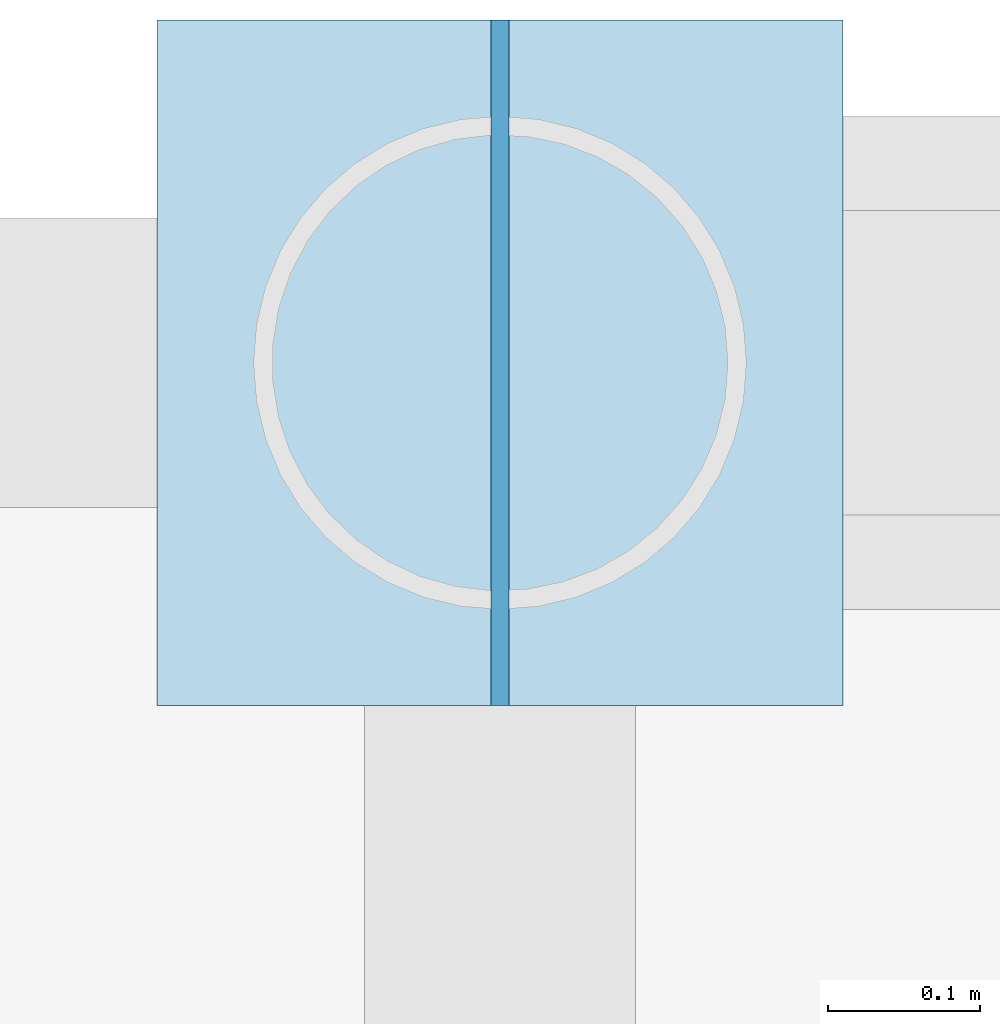
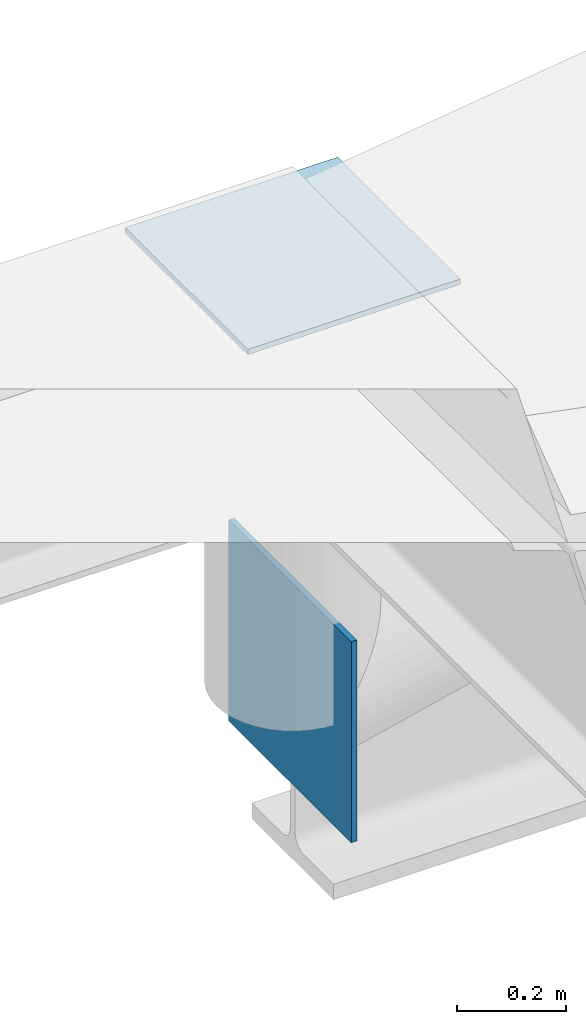
# One storey, part 9 of 11: 2 plates.
"""IFC4 building model written with IfcOpenShell, lengths in metres."""

from ifc_helpers import new_model, si_unit, direction, frame, origin, origin_2d, place, context, subcontext, project, spatial, rectangle, extrude, material, layer, layer_set, type_object, element, save


model = new_model("IFC4")

# Units and contexts
model_context = context("Model", 3, precision=1e-05, world=origin(), true_north=direction((0.0, 1.0)))
body_context = subcontext(model_context, "Body", "Model", "MODEL_VIEW")
ifc_project = project(units=[si_unit("LENGTHUNIT", "METRE"), si_unit("AREAUNIT", "SQUARE_METRE"), si_unit("VOLUMEUNIT", "CUBIC_METRE"), si_unit("PLANEANGLEUNIT", "RADIAN"), si_unit("MASSUNIT", "GRAM", prefix="KILO"), si_unit("THERMODYNAMICTEMPERATUREUNIT", "KELVIN"), si_unit("POWERUNIT", "WATT")], contexts=[model_context])

# Site, building, storey
site_placement = place(None, origin())
site = spatial("IfcSite", under=ifc_project, at=site_placement, CompositionType="ELEMENT")
building_placement = place(site_placement, origin())
building = spatial("IfcBuilding", under=site, at=building_placement, Name="Tembeka Court Mobility Hub", CompositionType="ELEMENT")
storey_placement = place(building_placement, frame((0.0, 0.0, 28.800048828125)))
storey = spatial("IfcBuildingStorey", under=building, at=storey_placement, Name="RF", CompositionType="ELEMENT", Elevation=28.800048828125)

# Plates
ifc_material = material(Name="Steel S355", Category="steel")
ifc_layer = layer(ifc_material, 0.011962890625)
ifc_layer_set = layer_set([ifc_layer], Name="Steel S355")
plate_type = type_object("IfcPlateType", Name="PL-NDP02", PredefinedType="USERDEFINED", material=ifc_layer_set)
plate_1_placement = place(storey_placement, frame((42.0, 80.39990234375, -1.375), z_axis=(0.0, 0.0, 1.0), x_axis=(1.0, 0.0, 0.0)))
element("IfcPlate", 1, at=plate_1_placement, inside=storey, type_object=plate_type, Name="Sports arch springing cast-in embed plate NDP02-6-B1", ObjectType="GUSSET PLATE", PredefinedType="USERDEFINED", context=body_context, shape_type="SweptSolid", body=[
    extrude(rectangle(XDim=0.011962890625, YDim=0.449951171875, at=origin_2d()), origin(), (0.0, 0.0, 1.0), 0.449951171875),
])
plate_2_placement = place(storey_placement, frame((42.0, 80.39990234375, -0.2060546875), z_axis=(0.0, 0.0, 1.0), x_axis=(1.0, 0.0, 0.0)))
element("IfcPlate", 2, at=plate_2_placement, inside=storey, type_object=plate_type, Name="Sports arch springing gusset plate NDP02-6-0", ObjectType="GUSSET PLATE", PredefinedType="USERDEFINED", context=body_context, shape_type="SweptSolid", body=[
    extrude(rectangle(XDim=0.449951171875, YDim=0.449951171875, at=origin_2d()), origin(), (0.0, 0.0, 1.0), 0.011962890625),
])

save(model, "model.ifc")
